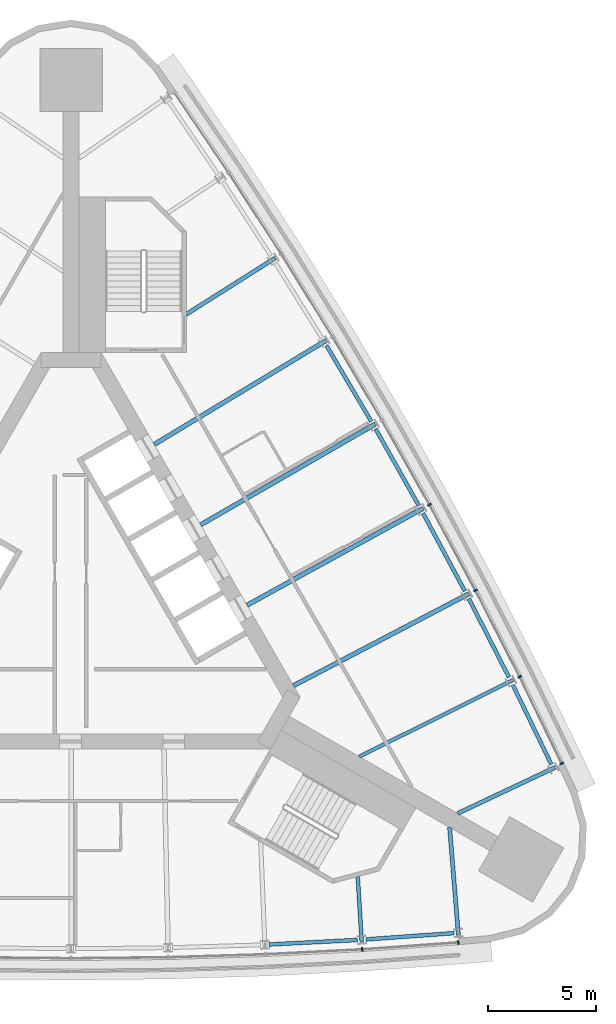
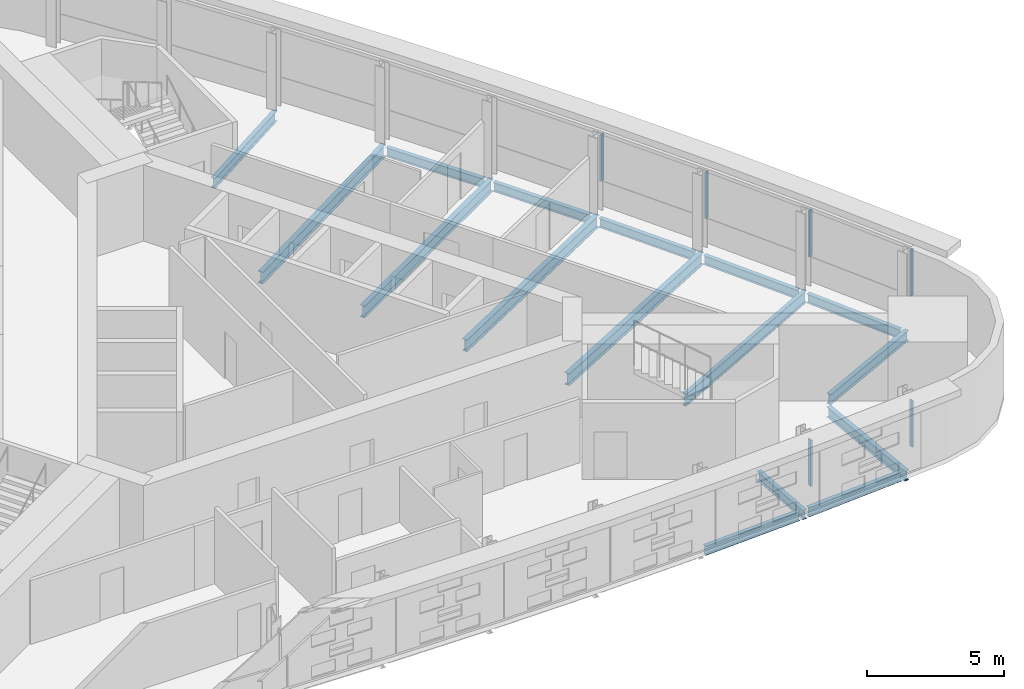
# One storey, part 5 of 13: 16 beams, 6 members, 2 elements without a shape of their own.
"""IFC4 building model written with IfcOpenShell, lengths in metres."""

import ifcopenshell
import ifcopenshell.guid

model = None  # the IFC model being written
_history = None  # IfcOwnerHistory: only IFC2X3 demands one
_inside = {}  # id of a spatial element -> (the spatial element, [elements in it])
_under = {}  # id of a project, library or spatial element -> (it, [spatial elements below it])
_declared = {}  # id of a project -> (the project, [libraries it declares])
_typed = {}  # id of a type object -> (the type object, [elements of that type])
_made_of = {}  # id of a material, layer set ... -> (it, [elements and type objects made of it])


def new_model(schema):
    """Start an empty IFC model of exactly this schema.

    Asked for "IFC4X3", IfcOpenShell would pick the latest addendum, in which some entities
    have other attributes; the version numbers below select the first issue.
    IFC2X3 requires an IfcOwnerHistory on every rooted entity: one is made here for all.
    """
    global model, _history
    if schema == "IFC4X3":
        model = ifcopenshell.file(schema_version=(4, 3, 0, 0))
    else:
        model = ifcopenshell.file(schema=schema)
    _inside.clear()
    _under.clear()
    _declared.clear()
    _typed.clear()
    _made_of.clear()
    _history = None
    if model.schema == "IFC2X3":
        org = make("IfcOrganization", Name="unknown")
        user = make(
            "IfcPersonAndOrganization",
            ThePerson=make("IfcPerson", FamilyName="unknown"),
            TheOrganization=org,
        )
        app = make(
            "IfcApplication",
            ApplicationDeveloper=org,
            Version="unknown",
            ApplicationFullName="unknown",
            ApplicationIdentifier="unknown",
        )
        _history = make(
            "IfcOwnerHistory",
            OwningUser=user,
            OwningApplication=app,
            ChangeAction="ADDED",
            CreationDate=0,
        )
    return model


def make(cls, **values):
    """One entity of the class cls with the attributes given. An attribute that is None is left unset."""
    return model.create_entity(
        cls, **{name: value for name, value in values.items() if value is not None}
    )


def rooted(cls, **values):
    """An entity with a GlobalId (a new one), such as an element, a storey or a relation."""
    return make(cls, GlobalId=ifcopenshell.guid.new(), OwnerHistory=_history, **values)


def si_unit(unit_type, name, prefix=None):
    """IfcSIUnit, for example si_unit("LENGTHUNIT", "METRE", prefix="MILLI")."""
    return make("IfcSIUnit", UnitType=unit_type, Prefix=prefix, Name=name)


def assignment(units):
    """IfcUnitAssignment: the units of a project."""
    return None if units is None else make("IfcUnitAssignment", Units=units)


def point(xyz):
    """IfcCartesianPoint."""
    return None if xyz is None else make("IfcCartesianPoint", Coordinates=xyz)


def direction(xyz):
    """IfcDirection."""
    return None if xyz is None else make("IfcDirection", DirectionRatios=xyz)


def frame(location, z_axis=None, x_axis=None):
    """IfcAxis2Placement3D, a coordinate frame: its origin and axes. An axis left out is left unset."""
    return make(
        "IfcAxis2Placement3D",
        Location=point(location),
        Axis=direction(z_axis),
        RefDirection=direction(x_axis),
    )


def frame_2d(location, x_axis=None):
    """IfcAxis2Placement2D, a coordinate frame in the plane: its origin and x axis."""
    return make(
        "IfcAxis2Placement2D", Location=point(location), RefDirection=direction(x_axis)
    )


def origin():
    """The frame at (0, 0, 0) with its axes left unset."""
    return frame((0.0, 0.0, 0.0))


def origin_2d():
    """The frame at (0, 0) in the plane with its x axis left unset."""
    return frame_2d((0.0, 0.0))


def place(relative_to, where):
    """IfcLocalPlacement: puts the frame where relative to a parent placement (None: the world)."""
    return make(
        "IfcLocalPlacement", PlacementRelTo=relative_to, RelativePlacement=where
    )


def context(
    kind, dimensions, precision=None, world=None, true_north=None, identifier=None
):
    """IfcGeometricRepresentationContext, for example the 3D "Model" context."""
    return make(
        "IfcGeometricRepresentationContext",
        ContextIdentifier=identifier,
        ContextType=kind,
        CoordinateSpaceDimension=dimensions,
        Precision=precision,
        WorldCoordinateSystem=world,
        TrueNorth=true_north,
    )


def subcontext(parent, identifier, kind, view, scale=None):
    """IfcGeometricRepresentationSubContext, for example "Body" below "Model"."""
    return make(
        "IfcGeometricRepresentationSubContext",
        ContextIdentifier=identifier,
        ContextType=kind,
        ParentContext=parent,
        TargetScale=scale,
        TargetView=view,
    )


def project(units=None, contexts=None):
    """IfcProject with its units and contexts."""
    return rooted(
        "IfcProject",
        Name="project",
        RepresentationContexts=contexts,
        UnitsInContext=assignment(units),
    )


def spatial(cls, under=None, at=None, **own):
    """A site, building, storey or space (cls), placed at a placement, below another one or the project."""
    s = rooted(cls, ObjectPlacement=at, **own)
    if under is not None:
        _under.setdefault(under.id(), (under, []))[1].append(s)
    return s


def profile(cls, at=None, kind="AREA", **sizes):
    """A parametric profile (cls). Its sizes go by their IFC names, for example OverallWidth=200.0."""
    return make(cls, ProfileType=kind, Position=at, **sizes)


def rectangle(**sizes):
    """IfcRectangleProfileDef."""
    return profile("IfcRectangleProfileDef", **sizes)


def i_section(**sizes):
    """IfcIShapeProfileDef."""
    return profile("IfcIShapeProfileDef", **sizes)


def extrude(swept, where, along, depth):
    """IfcExtrudedAreaSolid: the profile swept, set in the frame where, extruded along a direction by depth."""
    return make(
        "IfcExtrudedAreaSolid",
        SweptArea=swept,
        Position=where,
        ExtrudedDirection=direction(along),
        Depth=depth,
    )


def shape(context_of_items, identifier, shape_type, items):
    """IfcShapeRepresentation: the items that make up one representation, for example the "Body"."""
    return make(
        "IfcShapeRepresentation",
        ContextOfItems=context_of_items,
        RepresentationIdentifier=identifier,
        RepresentationType=shape_type,
        Items=items,
    )


def material(Name=None, Category=None):
    """IfcMaterial."""
    return make("IfcMaterial", Name=Name, Category=Category)


def material_profile(
    of_material, cross_section, Name=None, Category=None, Priority=None
):
    """IfcMaterialProfile: a cross section and its material."""
    return make(
        "IfcMaterialProfile",
        Name=Name,
        Material=of_material,
        Profile=cross_section,
        Priority=Priority,
        Category=Category,
    )


def profile_set(profiles, Name=None, composite=None):
    """IfcMaterialProfileSet."""
    return make(
        "IfcMaterialProfileSet",
        Name=Name,
        MaterialProfiles=profiles,
        CompositeProfile=composite,
    )


def made_of(thing, what):
    """Note that an element or type object is made of a material, layer set ...; save() writes the relation."""
    if what is not None:
        _made_of.setdefault(what.id(), (what, []))[1].append(thing)
    return thing


def type_object(cls, material=None, **own):
    """A type object (cls), such as IfcWallType, which elements share."""
    return made_of(rooted(cls, **own), material)


def element(
    cls,
    number,
    at=None,
    inside=None,
    cuts=None,
    type_object=None,
    material=None,
    context=None,
    identifier="Body",
    shape_type=None,
    held_by="IfcProductDefinitionShape",
    body=None,
    shapes=None,
    **own,
):
    """One element of the class cls, such as IfcWall. Its Tag is "e" and its number.

    at: its placement. inside: the storey or other place that contains it. cuts: it is an
    opening in that element (IfcRelVoidsElement). A single representation is given by context,
    identifier, shape_type and body (its items); several are given by shapes. held_by: the class
    of the entity that holds the representations. save() writes the other relations.
    """
    e = rooted(cls, Tag="e%d" % number, ObjectPlacement=at, **own)
    if body is not None:
        shapes = [shape(context, identifier, shape_type, body)]
    if shapes is not None:
        e.Representation = make(held_by, Representations=shapes)
    if inside is not None:
        _inside.setdefault(inside.id(), (inside, []))[1].append(e)
    if cuts is not None:
        rooted(
            "IfcRelVoidsElement", RelatingBuildingElement=cuts, RelatedOpeningElement=e
        )
    if type_object is not None:
        _typed.setdefault(type_object.id(), (type_object, []))[1].append(e)
    return made_of(e, material)


def aggregate(whole, parts):
    """IfcRelAggregates: a whole, such as a stair, and the parts it consists of."""
    return rooted("IfcRelAggregates", RelatingObject=whole, RelatedObjects=parts)


def save(model, path):
    """Write the relations noted so far, then the file.

    IfcRelAggregates (storeys below a building ...), IfcRelContainedInSpatialStructure (elements
    in a storey), IfcRelDefinesByType, IfcRelAssociatesMaterial and IfcRelDeclares: one each for
    every whole, place, type object, material and project.
    """
    for whole, parts in _under.values():
        aggregate(whole, parts)
    for where, things in _inside.values():
        rooted(
            "IfcRelContainedInSpatialStructure",
            RelatedElements=things,
            RelatingStructure=where,
        )
    for kind, things in _typed.values():
        rooted("IfcRelDefinesByType", RelatedObjects=things, RelatingType=kind)
    for what, things in _made_of.values():
        rooted("IfcRelAssociatesMaterial", RelatedObjects=things, RelatingMaterial=what)
    for by, libraries in _declared.values():
        rooted("IfcRelDeclares", RelatingContext=by, RelatedDefinitions=libraries)
    model.write(path)


model = new_model("IFC4")

# Units and contexts
model_context = context("Model", 3, precision=1e-05, world=origin(), true_north=direction((0.0, 1.0)))
body_context = subcontext(model_context, "Body", "Model", "MODEL_VIEW")
ifc_project = project(units=[si_unit("LENGTHUNIT", "METRE"), si_unit("AREAUNIT", "SQUARE_METRE"), si_unit("VOLUMEUNIT", "CUBIC_METRE"), si_unit("PLANEANGLEUNIT", "RADIAN"), si_unit("MASSUNIT", "GRAM", prefix="KILO")], contexts=[model_context])

# Site, building, storey
site_placement = place(None, origin())
site = spatial("IfcSite", under=ifc_project, at=site_placement, CompositionType="ELEMENT")
building_placement = place(site_placement, origin())
building = spatial("IfcBuilding", under=site, at=building_placement, Name="Noor Cloister Tower", CompositionType="ELEMENT")
storey_placement = place(building_placement, frame((0.0, 0.0, 147.300048828125)))
storey = spatial("IfcBuildingStorey", under=building, at=storey_placement, Name="L37", CompositionType="ELEMENT", Elevation=147.300048828125)

# Curtain wall, members
ifc_material_1 = material(Name="Aluminium 6063-T6 anodised", Category="aluminium")
curtain_wall_type = type_object("IfcCurtainWallType", Name="Ribbon curtain wall, upper tower CW5", PredefinedType="NOTDEFINED", material=ifc_material_1)
curtain_wall_1_placement = place(storey_placement, origin())
curtain_wall_1 = element("IfcCurtainWall", 1, at=curtain_wall_1_placement, inside=storey, type_object=curtain_wall_type, Name="CW5 L37 S run 2", PredefinedType="NOTDEFINED")
ifc_material_2 = material(Name="Aluminium 6063-T6 anodised", Category="aluminium")
ifc_material_profile_1 = material_profile(ifc_material_2, rectangle(XDim=0.179931640625, YDim=0.070068359375, at=origin_2d()), Name="180 x 70 mullion")
ifc_profile_set_1 = profile_set([ifc_material_profile_1], Name="Aluminium 6063-T6 anodised")
member_type = type_object("IfcMemberType", Name="Mullion CW5 70 x 180", PredefinedType="MULLION", material=ifc_profile_set_1)
member_1_placement = place(storey_placement, frame((13.4853515625, -16.20751953125, 1.099853515625), z_axis=(0.0, 0.0, 1.0), x_axis=(-0.061471387632, 0.99810884602, 0.0)))
member_1 = element("IfcMember", 2, at=member_1_placement, type_object=member_type, Name="CW5 mullion 8", PredefinedType="MULLION", context=body_context, shape_type="SweptSolid", body=[
    extrude(rectangle(XDim=0.179931640625, YDim=0.070068359375, at=origin_2d()), origin(), (0.0, 0.0, 1.0), 2.050048828125),
])
member_2_placement = place(storey_placement, frame((17.937744140625, -15.8876953125, 1.099853515625), z_axis=(0.0, 0.0, 1.0), x_axis=(-0.07170028816, 0.997426222173, 0.0)))
member_2 = element("IfcMember", 3, at=member_2_placement, type_object=member_type, Name="CW5 mullion 9", PredefinedType="MULLION", context=body_context, shape_type="SweptSolid", body=[
    extrude(rectangle(XDim=0.179931640625, YDim=0.070068359375, at=origin_2d()), origin(), (0.0, 0.0, 1.0), 2.050048828125),
])
aggregate(curtain_wall_1, [member_1, member_2])

curtain_wall_2_placement = place(storey_placement, origin())
curtain_wall_2 = element("IfcCurtainWall", 4, at=curtain_wall_2_placement, inside=storey, type_object=curtain_wall_type, Name="CW5 L37 NE run 3", PredefinedType="NOTDEFINED")
member_3_placement = place(storey_placement, frame((22.72802734375, -7.5908203125, 1.099853515625), z_axis=(0.0, 0.0, 1.0), x_axis=(-0.899646590882, -0.436618840081, 0.0)))
member_3 = element("IfcMember", 5, at=member_3_placement, type_object=member_type, Name="CW5 mullion 1", PredefinedType="MULLION", context=body_context, shape_type="SweptSolid", body=[
    extrude(rectangle(XDim=0.179931640625, YDim=0.070068359375, at=origin_2d()), origin(), (0.0, 0.0, 1.0), 2.050048828125),
])
member_4_placement = place(storey_placement, frame((20.77880859375, -3.57470703125, 1.099853515625), z_axis=(0.0, 0.0, 1.0), x_axis=(-0.895123310211, -0.445818639714, 0.0)))
member_4 = element("IfcMember", 6, at=member_4_placement, type_object=member_type, Name="CW5 mullion 2", PredefinedType="MULLION", context=body_context, shape_type="SweptSolid", body=[
    extrude(rectangle(XDim=0.179931640625, YDim=0.070068359375, at=origin_2d()), origin(), (0.0, 0.0, 1.0), 2.050048828125),
])
member_5_placement = place(storey_placement, frame((18.732421875, 0.4306640625, 1.099853515625), z_axis=(0.0, 0.0, 1.0), x_axis=(-0.885795011473, -0.464076715262, 0.0)))
member_5 = element("IfcMember", 7, at=member_5_placement, type_object=member_type, Name="CW5 mullion 3", PredefinedType="MULLION", context=body_context, shape_type="SweptSolid", body=[
    extrude(rectangle(XDim=0.179931640625, YDim=0.070068359375, at=origin_2d()), origin(), (0.0, 0.0, 1.0), 2.050048828125),
])
member_6_placement = place(storey_placement, frame((16.6044921875, 4.39306640625, 1.099853515625), z_axis=(0.0, 0.0, 1.0), x_axis=(-0.876094355533, -0.482139689512, 0.0)))
member_6 = element("IfcMember", 8, at=member_6_placement, type_object=member_type, Name="CW5 mullion 4", PredefinedType="MULLION", context=body_context, shape_type="SweptSolid", body=[
    extrude(rectangle(XDim=0.179931640625, YDim=0.070068359375, at=origin_2d()), origin(), (0.0, 0.0, 1.0), 2.050048828125),
])
aggregate(curtain_wall_2, [member_3, member_4, member_5, member_6])

# Beams
ifc_material_3 = material(Name="Steel ASTM A992 Gr 50", Category="steel")
ifc_material_profile_2 = material_profile(ifc_material_3, i_section(OverallWidth=0.177978515625, OverallDepth=0.406005859375, WebThickness=0.0078125, FlangeThickness=0.0126953125, FilletRadius=0.01025390625, at=origin_2d()), Name="W410x60")
ifc_profile_set_2 = profile_set([ifc_material_profile_2], Name="Steel ASTM A992 Gr 50")
beam_type_1 = type_object("IfcBeamType", Name="Radial beam W410x60", PredefinedType="BEAM", material=ifc_profile_set_2)
beam_1_placement = place(storey_placement, frame((13.46435546875, -15.865234375, -0.403076171875), z_axis=(-0.061507296189, 0.99810663384, 0.0), x_axis=(-0.99810663384, -0.061507296189, 0.0)))
element("IfcBeam", 9, at=beam_1_placement, inside=storey, type_object=beam_type_1, Name="Radial beam S 08 L37", PredefinedType="BEAM", context=body_context, shape_type="SweptSolid", body=[
    extrude(i_section(OverallWidth=0.177978515625, OverallDepth=0.406005859375, WebThickness=0.0078125, FlangeThickness=0.0126953125, FilletRadius=0.01025390625, at=origin_2d()), origin(), (0.0, 0.0, 1.0), 3.03662109375),
])
ifc_material_4 = material(Name="Steel ASTM A992 Gr 50", Category="steel")
ifc_material_profile_3 = material_profile(ifc_material_4, i_section(OverallWidth=0.19091796875, OverallDepth=0.45703125, WebThickness=0.009033203125, FlangeThickness=0.014404296875, FilletRadius=0.01025390625, at=origin_2d()), Name="W460x74")
ifc_profile_set_3 = profile_set([ifc_material_profile_3], Name="Steel ASTM A992 Gr 50")
beam_type_2 = type_object("IfcBeamType", Name="Radial beam W460x74", PredefinedType="BEAM", material=ifc_profile_set_3)
for number, where, z_axis, x_axis, name in (
    (10, (17.943603515625, -15.543212890625, -0.428466796875), (-0.081918876105, 0.996639000711, 0.0), (-0.996639000711, -0.081918876105, 0.0), "Radial beam S 09 L37"),
    (11, (22.4326171875, -7.767822265625, -0.428466796875), (-0.90406541137, -0.427394117841, 0.0), (0.427394117841, -0.90406541137, 0.0), "Radial beam NE 01 L37"),
):
    element("IfcBeam", number, at=place(storey_placement, frame(where, z_axis=z_axis, x_axis=x_axis)), inside=storey, type_object=beam_type_2, Name=name, PredefinedType="BEAM", context=body_context, shape_type="SweptSolid", body=[
        extrude(i_section(OverallWidth=0.19091796875, OverallDepth=0.45703125, WebThickness=0.009033203125, FlangeThickness=0.014404296875, FilletRadius=0.01025390625, at=origin_2d()), origin(), (0.0, 0.0, 1.0), 5.00390625),
    ])
beam_2_placement = place(storey_placement, frame((9.449462890625, 15.823974609375, -0.428466796875), z_axis=(-0.844811521097, -0.535064009089, 0.0), x_axis=(0.535064009089, -0.844811521097, 0.0)))
element("IfcBeam", 12, at=beam_2_placement, inside=storey, type_object=beam_type_2, Name="Radial beam NE 07 L37", PredefinedType="BEAM", context=body_context, shape_type="SweptSolid", body=[
    extrude(i_section(OverallWidth=0.19091796875, OverallDepth=0.45703125, WebThickness=0.009033203125, FlangeThickness=0.014404296875, FilletRadius=0.01025390625, at=origin_2d()), origin(), (0.0, 0.0, 1.0), 4.869384765625),
])
ifc_material_5 = material(Name="Steel ASTM A992 Gr 50", Category="steel")
ifc_material_profile_4 = material_profile(ifc_material_5, i_section(OverallWidth=0.166015625, OverallDepth=0.528076171875, WebThickness=0.009765625, FlangeThickness=0.013671875, FilletRadius=0.0126953125, at=origin_2d()), Name="W530x74")
ifc_profile_set_4 = profile_set([ifc_material_profile_4], Name="Steel ASTM A992 Gr 50")
beam_type_3 = type_object("IfcBeamType", Name="Radial beam W530x74", PredefinedType="BEAM", material=ifc_profile_set_4)
beam_3_placement = place(storey_placement, frame((20.471923828125, -3.727783203125, -0.464111328125), z_axis=(-0.895131847729, -0.445801497508, 0.0), x_axis=(0.445801497508, -0.895131847729, 0.0)))
element("IfcBeam", 13, at=beam_3_placement, inside=storey, type_object=beam_type_3, Name="Radial beam NE 02 L37", PredefinedType="BEAM", context=body_context, shape_type="SweptSolid", body=[
    extrude(i_section(OverallWidth=0.166015625, OverallDepth=0.528076171875, WebThickness=0.009765625, FlangeThickness=0.013671875, FilletRadius=0.0126953125, at=origin_2d()), origin(), (0.0, 0.0, 1.0), 7.9560546875),
])
ifc_material_6 = material(Name="Steel ASTM A992 Gr 50", Category="steel")
ifc_material_profile_5 = material_profile(ifc_material_6, i_section(OverallWidth=0.208984375, OverallDepth=0.532958984375, WebThickness=0.01025390625, FlangeThickness=0.015625, FilletRadius=0.0126953125, at=origin_2d()), Name="W530x92")
ifc_profile_set_5 = profile_set([ifc_material_profile_5], Name="Steel ASTM A992 Gr 50")
beam_type_4 = type_object("IfcBeamType", Name="Radial beam W530x92", PredefinedType="BEAM", material=ifc_profile_set_5)
beam_4_placement = place(storey_placement, frame((18.4287109375, 0.271484375, -0.466552734375), z_axis=(-0.885788824469, -0.464088524364, 0.0), x_axis=(0.464088524364, -0.885788824469, 0.0)))
element("IfcBeam", 14, at=beam_4_placement, inside=storey, type_object=beam_type_4, Name="Radial beam NE 03 L37", PredefinedType="BEAM", context=body_context, shape_type="SweptSolid", body=[
    extrude(i_section(OverallWidth=0.208984375, OverallDepth=0.532958984375, WebThickness=0.01025390625, FlangeThickness=0.015625, FilletRadius=0.0126953125, at=origin_2d()), origin(), (0.0, 0.0, 1.0), 9.175048828125),
])
beam_5_placement = place(storey_placement, frame((16.303955078125, 4.227783203125, -0.466552734375), z_axis=(-0.876099025266, -0.48213120406, 0.0), x_axis=(0.48213120406, -0.876099025266, 0.0)))
element("IfcBeam", 15, at=beam_5_placement, inside=storey, type_object=beam_type_4, Name="Radial beam NE 04 L37", PredefinedType="BEAM", context=body_context, shape_type="SweptSolid", body=[
    extrude(i_section(OverallWidth=0.208984375, OverallDepth=0.532958984375, WebThickness=0.01025390625, FlangeThickness=0.015625, FilletRadius=0.0126953125, at=origin_2d()), origin(), (0.0, 0.0, 1.0), 9.30712890625),
])
beam_6_placement = place(storey_placement, frame((14.098388671875, 8.1396484375, -0.466552734375), z_axis=(-0.866028634529, -0.499994404144, 0.0), x_axis=(0.499994404144, -0.866028634529, 0.0)))
element("IfcBeam", 16, at=beam_6_placement, inside=storey, type_object=beam_type_4, Name="Radial beam NE 05 L37", PredefinedType="BEAM", context=body_context, shape_type="SweptSolid", body=[
    extrude(i_section(OverallWidth=0.208984375, OverallDepth=0.532958984375, WebThickness=0.01025390625, FlangeThickness=0.015625, FilletRadius=0.0126953125, at=origin_2d()), origin(), (0.0, 0.0, 1.0), 9.35107421875),
])
beam_7_placement = place(storey_placement, frame((11.813232421875, 12.005615234375, -0.466552734375), z_axis=(-0.855591496874, -0.517651611102, 0.0), x_axis=(0.517651611102, -0.855591496874, 0.0)))
element("IfcBeam", 17, at=beam_7_placement, inside=storey, type_object=beam_type_4, Name="Radial beam NE 06 L37", PredefinedType="BEAM", context=body_context, shape_type="SweptSolid", body=[
    extrude(i_section(OverallWidth=0.208984375, OverallDepth=0.532958984375, WebThickness=0.01025390625, FlangeThickness=0.015625, FilletRadius=0.0126953125, at=origin_2d()), origin(), (0.0, 0.0, 1.0), 9.30712890625),
])
ifc_material_7 = material(Name="Steel ASTM A992 Gr 50", Category="steel")
ifc_material_profile_6 = material_profile(ifc_material_7, i_section(OverallWidth=0.177978515625, OverallDepth=0.406005859375, WebThickness=0.0078125, FlangeThickness=0.0126953125, FilletRadius=0.01025390625, at=origin_2d()), Name="W410x60")
ifc_profile_set_6 = profile_set([ifc_material_profile_6], Name="Steel ASTM A992 Gr 50")
beam_type_5 = type_object("IfcBeamType", Name="Spandrel beam W410x60", PredefinedType="SPANDREL", material=ifc_profile_set_6)
beam_8_placement = place(storey_placement, frame((9.174072265625, -15.978271484375, -0.403076171875), z_axis=(0.998687506896, 0.051217805195, 0.0), x_axis=(-0.051217805195, 0.998687506896, 0.0)))
element("IfcBeam", 18, at=beam_8_placement, inside=storey, type_object=beam_type_5, Name="Spandrel beam S 07 L37", PredefinedType="SPANDREL", context=body_context, shape_type="SweptSolid", body=[
    extrude(i_section(OverallWidth=0.177978515625, OverallDepth=0.406005859375, WebThickness=0.0078125, FlangeThickness=0.0126953125, FilletRadius=0.01025390625, at=origin_2d()), origin(), (0.0, 0.0, 1.0), 4.08984375),
])
beam_9_placement = place(storey_placement, frame((13.65673828125, -15.744140625, -0.403076171875), z_axis=(0.997426476939, 0.071696744003, 0.0), x_axis=(-0.071696744003, 0.997426476939, 0.0)))
element("IfcBeam", 19, at=beam_9_placement, inside=storey, type_object=beam_type_5, Name="Spandrel beam S 08 L37", PredefinedType="SPANDREL", context=body_context, shape_type="SweptSolid", body=[
    extrude(i_section(OverallWidth=0.177978515625, OverallDepth=0.406005859375, WebThickness=0.0078125, FlangeThickness=0.0126953125, FilletRadius=0.01025390625, at=origin_2d()), origin(), (0.0, 0.0, 1.0), 4.089599609375),
])
beam_10_placement = place(storey_placement, frame((22.248779296875, -7.63427734375, -0.403076171875), z_axis=(-0.436604481066, 0.899653559495, 0.0), x_axis=(-0.899653559495, -0.436604481066, 0.0)))
element("IfcBeam", 20, at=beam_10_placement, inside=storey, type_object=beam_type_5, Name="Spandrel beam NE 01 L37", PredefinedType="SPANDREL", context=body_context, shape_type="SweptSolid", body=[
    extrude(i_section(OverallWidth=0.177978515625, OverallDepth=0.406005859375, WebThickness=0.0078125, FlangeThickness=0.0126953125, FilletRadius=0.01025390625, at=origin_2d()), origin(), (0.0, 0.0, 1.0), 4.08984375),
])
beam_11_placement = place(storey_placement, frame((20.285400390625, -3.597900390625, -0.403076171875), z_axis=(-0.455004823402, 0.890488972801, 0.0), x_axis=(-0.890488972801, -0.455004823402, 0.0)))
element("IfcBeam", 21, at=beam_11_placement, inside=storey, type_object=beam_type_5, Name="Spandrel beam NE 02 L37", PredefinedType="SPANDREL", context=body_context, shape_type="SweptSolid", body=[
    extrude(i_section(OverallWidth=0.177978515625, OverallDepth=0.406005859375, WebThickness=0.0078125, FlangeThickness=0.0126953125, FilletRadius=0.01025390625, at=origin_2d()), origin(), (0.0, 0.0, 1.0), 4.089599609375),
])
beam_12_placement = place(storey_placement, frame((18.239501953125, 0.3974609375, -0.403076171875), z_axis=(-0.473145514106, 0.880984291847, 0.0), x_axis=(-0.880984291847, -0.473145514106, 0.0)))
element("IfcBeam", 22, at=beam_12_placement, inside=storey, type_object=beam_type_5, Name="Spandrel beam NE 03 L37", PredefinedType="SPANDREL", context=body_context, shape_type="SweptSolid", body=[
    extrude(i_section(OverallWidth=0.177978515625, OverallDepth=0.406005859375, WebThickness=0.0078125, FlangeThickness=0.0126953125, FilletRadius=0.01025390625, at=origin_2d()), origin(), (0.0, 0.0, 1.0), 4.08984375),
])
for number, where, z_axis, x_axis, name in (
    (23, (16.1123046875, 4.349853515625, -0.403076171875), (-0.491122612788, 0.871090454091, 0.0), (-0.871090454091, -0.491122612788, 0.0), "Spandrel beam NE 04 L37"),
    (24, (13.904296875, 8.258056640625, -0.403076171875), (-0.508866071809, 0.860845701018, 0.0), (-0.860845701018, -0.508866071809, 0.0), "Spandrel beam NE 05 L37"),
):
    element("IfcBeam", number, at=place(storey_placement, frame(where, z_axis=z_axis, x_axis=x_axis)), inside=storey, type_object=beam_type_5, Name=name, PredefinedType="SPANDREL", context=body_context, shape_type="SweptSolid", body=[
        extrude(i_section(OverallWidth=0.177978515625, OverallDepth=0.406005859375, WebThickness=0.0078125, FlangeThickness=0.0126953125, FilletRadius=0.01025390625, at=origin_2d()), origin(), (0.0, 0.0, 1.0), 4.089599609375),
    ])

save(model, "model.ifc")
